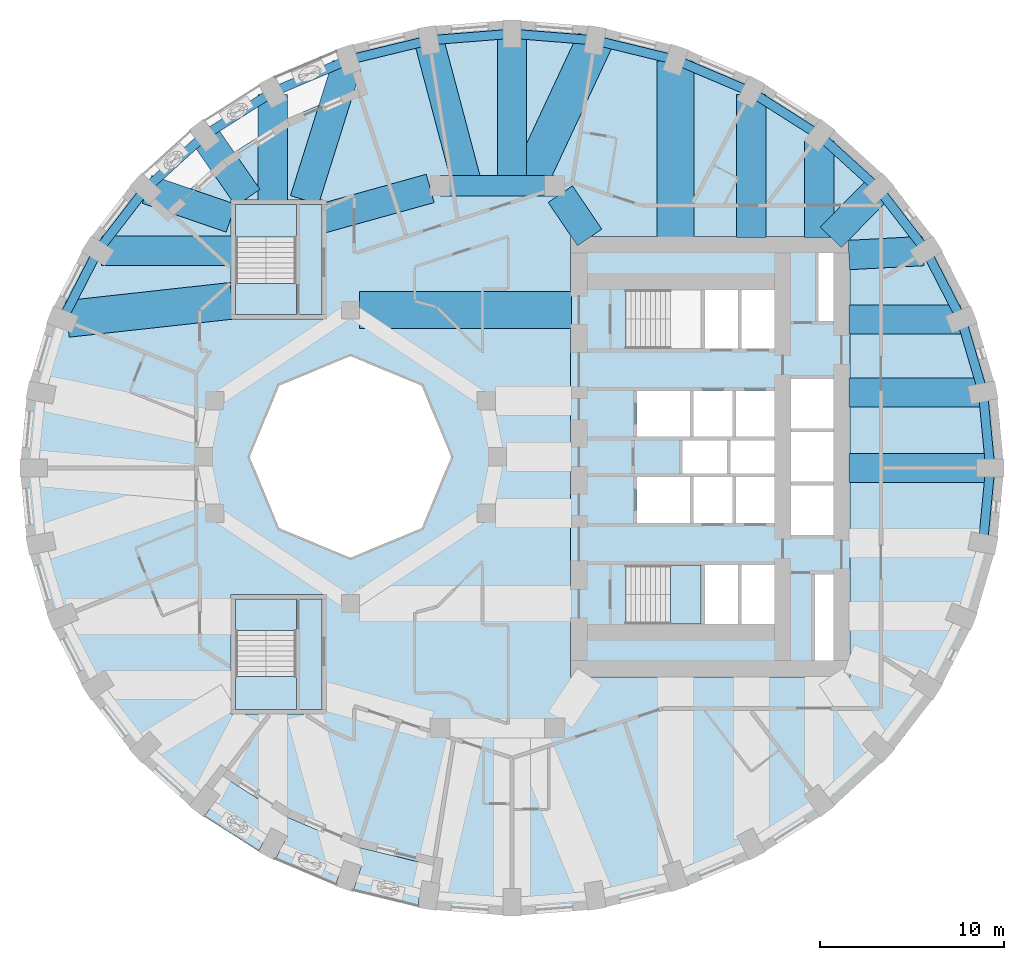
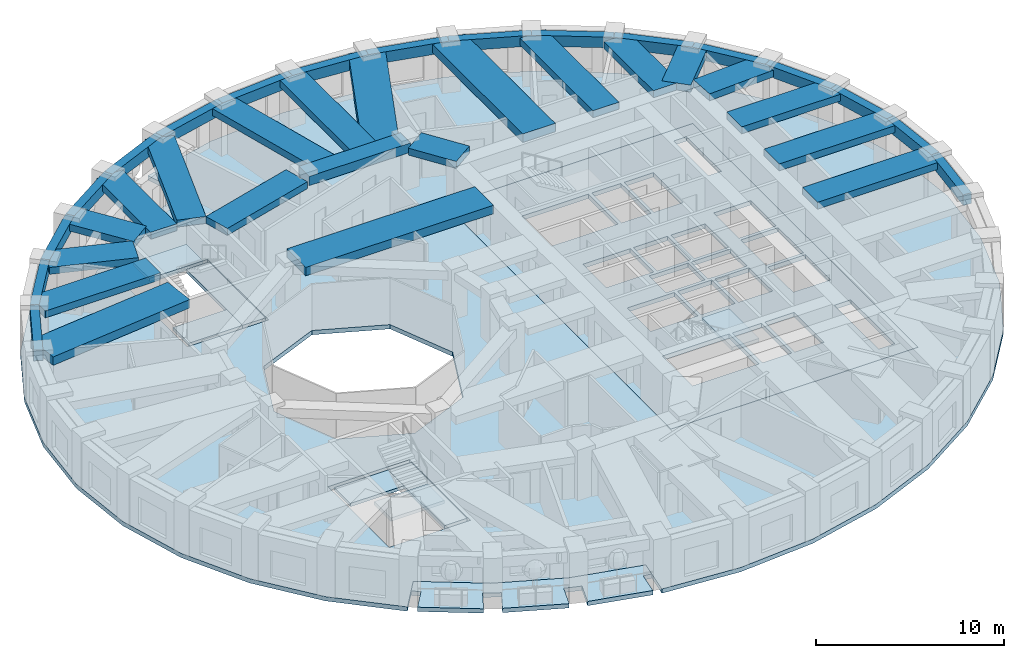
# One storey, part 2 of 12: 38 beams, 10 slabs, 3 elements without a shape of their own.
"""IFC4 building model written with IfcOpenShell, lengths in metres."""

from ifc_helpers import new_model, si_unit, direction, frame, origin, origin_2d, place, context, subcontext, project, spatial, polyline, rectangle, outline, extrude, material, layer, layer_set, material_profile, profile_set, type_object, element, aggregate, save


model = new_model("IFC4")

# Units and contexts
model_context = context("Model", 3, precision=1e-05, world=origin(), true_north=direction((0.0, 1.0)))
body_context = subcontext(model_context, "Body", "Model", "MODEL_VIEW")
ifc_project = project(units=[si_unit("LENGTHUNIT", "METRE"), si_unit("AREAUNIT", "SQUARE_METRE"), si_unit("VOLUMEUNIT", "CUBIC_METRE"), si_unit("PLANEANGLEUNIT", "RADIAN"), si_unit("MASSUNIT", "GRAM", prefix="KILO")], contexts=[model_context])

# Site, building, storey
site_placement = place(None, origin())
site = spatial("IfcSite", under=ifc_project, at=site_placement, CompositionType="ELEMENT")
building_placement = place(site_placement, origin())
building = spatial("IfcBuilding", under=site, at=building_placement, Name="Taillehof Tower", CompositionType="ELEMENT")
storey_placement = place(building_placement, frame((0.0, 0.0, 121.89990234375)))
storey = spatial("IfcBuildingStorey", under=building, at=storey_placement, Name="L34", CompositionType="ELEMENT", Elevation=121.89990234375)

# Beams
ifc_material_1 = material(Name="Concrete C50/60", Category="concrete")
ifc_material_profile_1 = material_profile(ifc_material_1, rectangle(XDim=1.10009765625, YDim=0.60009765625, at=origin_2d()), Name="RC 1100x600")
ifc_profile_set_1 = profile_set([ifc_material_profile_1], Name="Concrete C50/60")
beam_type_1 = type_object("IfcBeamType", Name="Mid-ring beam C50/60 1100x600", PredefinedType="BEAM", material=ifc_profile_set_1)
beam_1_placement = place(storey_placement, frame((3.125732421875, 14.772216796875, 2.72021484375), z_axis=(-1.0, 0.0, 0.0), x_axis=(0.0, -1.0, 0.0)))
element("IfcBeam", 1, at=beam_1_placement, inside=storey, type_object=beam_type_1, Name="Mid-ring beam MB01", PredefinedType="BEAM", context=body_context, shape_type="SweptSolid", body=[
    extrude(rectangle(XDim=1.10009765625, YDim=0.60009765625, at=origin_2d()), origin(), (0.0, 0.0, 1.0), 6.25146484375),
])
ifc_material_2 = material(Name="Concrete C50/60", Category="concrete")
ifc_material_profile_2 = material_profile(ifc_material_2, rectangle(XDim=1.60009765625, YDim=0.449951171875, at=origin_2d()), Name="RC 1600x450")
ifc_profile_set_2 = profile_set([ifc_material_profile_2], Name="Concrete C50/60")
beam_type_2 = type_object("IfcBeamType", Name="Radial band beam C50/60 1600x450", PredefinedType="BEAM", material=ifc_profile_set_2)
beam_2_placement = place(storey_placement, frame((26.85009765625, -0.60009765625, 2.795166015625), z_axis=(-1.0, 0.0, 0.0), x_axis=(0.0, -1.0, 0.0)))
element("IfcBeam", 2, at=beam_2_placement, inside=storey, type_object=beam_type_2, Name="Radial band beam RB01", PredefinedType="BEAM", context=body_context, shape_type="SweptSolid", body=[
    extrude(rectangle(XDim=1.60009765625, YDim=0.449951171875, at=origin_2d()), origin(), (0.0, 0.0, 1.0), 7.7001953125),
])
beam_3_placement = place(storey_placement, frame((26.454345703125, 3.5068359375, 2.795166015625), z_axis=(-1.0, 0.0, 0.0), x_axis=(0.0, -1.0, 0.0)))
element("IfcBeam", 3, at=beam_3_placement, inside=storey, type_object=beam_type_2, Name="Radial band beam RB02", PredefinedType="BEAM", context=body_context, shape_type="SweptSolid", body=[
    extrude(rectangle(XDim=1.60009765625, YDim=0.449951171875, at=origin_2d()), origin(), (0.0, 0.0, 1.0), 7.304443359375),
])
beam_4_placement = place(storey_placement, frame((25.2275390625, 7.48876953125, 2.795166015625), z_axis=(-1.0, 0.0, 0.0), x_axis=(0.0, -1.0, 0.0)))
element("IfcBeam", 4, at=beam_4_placement, inside=storey, type_object=beam_type_2, Name="Radial band beam RB03", PredefinedType="BEAM", context=body_context, shape_type="SweptSolid", body=[
    extrude(rectangle(XDim=1.60009765625, YDim=0.449951171875, at=origin_2d()), origin(), (0.0, 0.0, 1.0), 6.07763671875),
])
beam_5_placement = place(storey_placement, frame((23.197021484375, 11.21630859375, 2.795166015625), z_axis=(-0.998539024739, -0.054035322466, 0.0), x_axis=(0.054035322466, -0.998539024739, 0.0)))
element("IfcBeam", 5, at=beam_5_placement, inside=storey, type_object=beam_type_2, Name="Radial band beam RB04", PredefinedType="BEAM", context=body_context, shape_type="SweptSolid", body=[
    extrude(rectangle(XDim=1.60009765625, YDim=0.449951171875, at=origin_2d()), origin(), (0.0, 0.0, 1.0), 4.052734375),
])
beam_6_placement = place(storey_placement, frame((20.75537109375, 14.60205078125, 2.795166015625), z_axis=(-0.700671998657, -0.713483531903, 0.0), x_axis=(0.713483531903, -0.700671998657, 0.0)))
element("IfcBeam", 6, at=beam_6_placement, inside=storey, type_object=beam_type_2, Name="Radial band beam RB05", PredefinedType="BEAM", context=body_context, shape_type="SweptSolid", body=[
    extrude(rectangle(XDim=1.60009765625, YDim=0.449951171875, at=origin_2d()), origin(), (0.0, 0.0, 1.0), 3.697021484375),
])
beam_7_placement = place(storey_placement, frame((17.544677734375, 17.2216796875, 2.795166015625), z_axis=(0.0, -1.0, 0.0), x_axis=(1.0, 0.0, 0.0)))
element("IfcBeam", 7, at=beam_7_placement, inside=storey, type_object=beam_type_2, Name="Radial band beam RB06", PredefinedType="BEAM", context=body_context, shape_type="SweptSolid", body=[
    extrude(rectangle(XDim=1.60009765625, YDim=0.449951171875, at=origin_2d()), origin(), (0.0, 0.0, 1.0), 5.271728515625),
])
beam_8_placement = place(storey_placement, frame((13.824951171875, 19.744384765625, 2.795166015625), z_axis=(0.0, -1.0, 0.0), x_axis=(1.0, 0.0, 0.0)))
element("IfcBeam", 8, at=beam_8_placement, inside=storey, type_object=beam_type_2, Name="Radial band beam RB07", PredefinedType="BEAM", context=body_context, shape_type="SweptSolid", body=[
    extrude(rectangle(XDim=1.60009765625, YDim=0.449951171875, at=origin_2d()), origin(), (0.0, 0.0, 1.0), 7.79443359375),
])
beam_9_placement = place(storey_placement, frame((0.800048828125, 23.050048828125, 2.795166015625), z_axis=(0.0, -1.0, 0.0), x_axis=(1.0, 0.0, 0.0)))
element("IfcBeam", 9, at=beam_9_placement, inside=storey, type_object=beam_type_2, Name="Radial band beam RB10", PredefinedType="BEAM", context=body_context, shape_type="SweptSolid", body=[
    extrude(rectangle(XDim=1.60009765625, YDim=0.449951171875, at=origin_2d()), origin(), (0.0, 0.0, 1.0), 8.27783203125),
])
beam_10_placement = place(storey_placement, frame((-3.7236328125, 22.690673828125, 2.795166015625), z_axis=(0.256102263642, -0.966649693817, 0.0), x_axis=(0.966649693817, 0.256102263642, 0.0)))
element("IfcBeam", 10, at=beam_10_placement, inside=storey, type_object=beam_type_2, Name="Radial band beam RB11", PredefinedType="BEAM", context=body_context, shape_type="SweptSolid", body=[
    extrude(rectangle(XDim=1.60009765625, YDim=0.449951171875, at=origin_2d()), origin(), (0.0, 0.0, 1.0), 8.191650390625),
])
beam_11_placement = place(storey_placement, frame((-8.189453125, 21.369140625, 2.795166015625), z_axis=(-0.299184997435, -0.954195125386, 0.0), x_axis=(0.954195125386, -0.299184997435, 0.0)))
element("IfcBeam", 11, at=beam_11_placement, inside=storey, type_object=beam_type_2, Name="Radial band beam RB12", PredefinedType="BEAM", context=body_context, shape_type="SweptSolid", body=[
    extrude(rectangle(XDim=1.60009765625, YDim=0.449951171875, at=origin_2d()), origin(), (0.0, 0.0, 1.0), 7.728515625),
])
beam_12_placement = place(storey_placement, frame((-12.22509765625, 19.744384765625, 2.795166015625), z_axis=(0.0, -1.0, 0.0), x_axis=(1.0, 0.0, 0.0)))
element("IfcBeam", 12, at=beam_12_placement, inside=storey, type_object=beam_type_2, Name="Radial band beam RB13", PredefinedType="BEAM", context=body_context, shape_type="SweptSolid", body=[
    extrude(rectangle(XDim=1.60009765625, YDim=0.449951171875, at=origin_2d()), origin(), (0.0, 0.0, 1.0), 5.79443359375),
])
beam_13_placement = place(storey_placement, frame((-15.944580078125, 17.516845703125, 2.795166015625), z_axis=(0.570763290366, -0.821114648737, 0.0), x_axis=(0.821114648737, 0.570763290366, 0.0)))
element("IfcBeam", 13, at=beam_13_placement, inside=storey, type_object=beam_type_2, Name="Radial band beam RB14", PredefinedType="BEAM", context=body_context, shape_type="SweptSolid", body=[
    extrude(rectangle(XDim=1.60009765625, YDim=0.449951171875, at=origin_2d()), origin(), (0.0, 0.0, 1.0), 4.1328125),
])
beam_14_placement = place(storey_placement, frame((-19.080810546875, 14.576171875, 2.795166015625), z_axis=(0.945583195076, -0.325380425334, 0.0), x_axis=(0.325380425334, 0.945583195076, 0.0)))
element("IfcBeam", 14, at=beam_14_placement, inside=storey, type_object=beam_type_2, Name="Radial band beam RB15", PredefinedType="BEAM", context=body_context, shape_type="SweptSolid", body=[
    extrude(rectangle(XDim=1.60009765625, YDim=0.449951171875, at=origin_2d()), origin(), (0.0, 0.0, 1.0), 4.83349609375),
])
beam_15_placement = place(storey_placement, frame((-21.54736328125, 11.22509765625, 2.795166015625), z_axis=(1.0, 0.0, 0.0), x_axis=(0.0, 1.0, 0.0)))
element("IfcBeam", 15, at=beam_15_placement, inside=storey, type_object=beam_type_2, Name="Radial band beam RB16", PredefinedType="BEAM", context=body_context, shape_type="SweptSolid", body=[
    extrude(rectangle(XDim=1.60009765625, YDim=0.449951171875, at=origin_2d()), origin(), (0.0, 0.0, 1.0), 7.097412109375),
])
beam_16_placement = place(storey_placement, frame((3.433837890625, 14.31640625, 2.795166015625), z_axis=(0.560112043398, -0.828416862962, 0.0), x_axis=(0.828416862962, 0.560112043398, 0.0)))
element("IfcBeam", 16, at=beam_16_placement, inside=storey, type_object=beam_type_2, Name="Inner band beam IB205", PredefinedType="BEAM", context=body_context, shape_type="SweptSolid", body=[
    extrude(rectangle(XDim=1.60009765625, YDim=0.449951171875, at=origin_2d()), origin(), (0.0, 0.0, 1.0), 2.84619140625),
])
beam_17_placement = place(storey_placement, frame((-3.655517578125, 14.624755859375, 2.795166015625), z_axis=(-0.963459369536, -0.267854518821, 0.0), x_axis=(0.267854518821, -0.963459369536, 0.0)))
element("IfcBeam", 17, at=beam_17_placement, inside=storey, type_object=beam_type_2, Name="Inner band beam IB206", PredefinedType="BEAM", context=body_context, shape_type="SweptSolid", body=[
    extrude(rectangle(XDim=1.60009765625, YDim=0.449951171875, at=origin_2d()), origin(), (0.0, 0.0, 1.0), 6.096923828125),
])
ifc_material_3 = material(Name="Concrete C50/60", Category="concrete")
ifc_material_profile_3 = material_profile(ifc_material_3, rectangle(XDim=2.0, YDim=0.550048828125, at=origin_2d()), Name="RC 2000x550")
ifc_profile_set_3 = profile_set([ifc_material_profile_3], Name="Concrete C50/60")
beam_type_3 = type_object("IfcBeamType", Name="Radial band beam C50/60 2000x550", PredefinedType="BEAM", material=ifc_profile_set_3)
beam_18_placement = place(storey_placement, frame((9.709716796875, 21.556640625, 2.7451171875), z_axis=(0.0, -1.0, 0.0), x_axis=(1.0, 0.0, 0.0)))
element("IfcBeam", 18, at=beam_18_placement, inside=storey, type_object=beam_type_3, Name="Radial band beam RB08", PredefinedType="BEAM", context=body_context, shape_type="SweptSolid", body=[
    extrude(rectangle(XDim=2.0, YDim=0.550048828125, at=origin_2d()), origin(), (0.0, 0.0, 1.0), 9.606689453125),
])
beam_19_placement = place(storey_placement, frame((5.312744140625, 22.66748046875, 2.7451171875), z_axis=(-0.423126261145, -0.90607072965, 0.0), x_axis=(0.90607072965, -0.423126261145, 0.0)))
element("IfcBeam", 19, at=beam_19_placement, inside=storey, type_object=beam_type_3, Name="Radial band beam RB09", PredefinedType="BEAM", context=body_context, shape_type="SweptSolid", body=[
    extrude(rectangle(XDim=2.0, YDim=0.550048828125, at=origin_2d()), origin(), (0.0, 0.0, 1.0), 8.713623046875),
])
beam_20_placement = place(storey_placement, frame((-23.42919921875, 7.516357421875, 2.7451171875), z_axis=(0.993988424713, 0.109485211499, 0.0), x_axis=(-0.109485211499, 0.993988424713, 0.0)))
element("IfcBeam", 20, at=beam_20_placement, inside=storey, type_object=beam_type_3, Name="Radial band beam RB17", PredefinedType="BEAM", context=body_context, shape_type="SweptSolid", body=[
    extrude(rectangle(XDim=2.0, YDim=0.550048828125, at=origin_2d()), origin(), (0.0, 0.0, 1.0), 9.033203125),
])
beam_21_placement = place(storey_placement, frame((-7.5, 8.0, 2.7451171875), z_axis=(1.0, 0.0, 0.0), x_axis=(0.0, 1.0, 0.0)))
element("IfcBeam", 21, at=beam_21_placement, inside=storey, type_object=beam_type_3, Name="Inner band beam IB105", PredefinedType="BEAM", context=body_context, shape_type="SweptSolid", body=[
    extrude(rectangle(XDim=2.0, YDim=0.550048828125, at=origin_2d()), origin(), (0.0, 0.0, 1.0), 11.550048828125),
])
ifc_material_4 = material(Name="Concrete C50/60", Category="concrete")
ifc_material_profile_4 = material_profile(ifc_material_4, rectangle(XDim=0.5, YDim=0.699951171875, at=origin_2d()), Name="RC 500x700")
ifc_profile_set_4 = profile_set([ifc_material_profile_4], Name="Concrete C50/60")
beam_type_4 = type_object("IfcBeamType", Name="Spandrel beam C50/60 500x700", PredefinedType="SPANDREL", material=ifc_profile_set_4)
beam_22_placement = place(storey_placement, frame((26.85009765625, -0.60009765625, 2.670166015625), z_axis=(-0.095917608943, 0.995389276763, 0.0), x_axis=(-0.995389276763, -0.095917608943, 0.0)))
element("IfcBeam", 22, at=beam_22_placement, inside=storey, type_object=beam_type_4, Name="Spandrel beam SB01", PredefinedType="SPANDREL", context=body_context, shape_type="SweptSolid", body=[
    extrude(rectangle(XDim=0.5, YDim=0.699951171875, at=origin_2d()), origin(), (0.0, 0.0, 1.0), 4.1259765625),
])
beam_23_placement = place(storey_placement, frame((26.454345703125, 3.5068359375, 2.670166015625), z_axis=(-0.28308309012, 0.95909538842, 0.0), x_axis=(-0.95909538842, -0.28308309012, 0.0)))
element("IfcBeam", 23, at=beam_23_placement, inside=storey, type_object=beam_type_4, Name="Spandrel beam SB02", PredefinedType="SPANDREL", context=body_context, shape_type="SweptSolid", body=[
    extrude(rectangle(XDim=0.5, YDim=0.699951171875, at=origin_2d()), origin(), (0.0, 0.0, 1.0), 4.15185546875),
])
beam_24_placement = place(storey_placement, frame((25.279052734375, 7.48876953125, 2.670166015625), z_axis=(-0.456905372708, 0.88951530644, 0.0), x_axis=(-0.88951530644, -0.456905372708, 0.0)))
element("IfcBeam", 24, at=beam_24_placement, inside=storey, type_object=beam_type_4, Name="Spandrel beam SB03", PredefinedType="SPANDREL", context=body_context, shape_type="SweptSolid", body=[
    extrude(rectangle(XDim=0.5, YDim=0.699951171875, at=origin_2d()), origin(), (0.0, 0.0, 1.0), 4.200439453125),
])
beam_25_placement = place(storey_placement, frame((23.35986328125, 11.22509765625, 2.670166015625), z_axis=(-0.61071731561, 0.79184869793, 0.0), x_axis=(-0.79184869793, -0.61071731561, 0.0)))
element("IfcBeam", 25, at=beam_25_placement, inside=storey, type_object=beam_type_4, Name="Spandrel beam SB04", PredefinedType="SPANDREL", context=body_context, shape_type="SweptSolid", body=[
    extrude(rectangle(XDim=0.5, YDim=0.699951171875, at=origin_2d()), origin(), (0.0, 0.0, 1.0), 4.2646484375),
])
beam_26_placement = place(storey_placement, frame((20.75537109375, 14.60205078125, 2.670166015625), z_axis=(-0.740400998917, 0.672165426665, 0.0), x_axis=(-0.672165426665, -0.740400998917, 0.0)))
element("IfcBeam", 26, at=beam_26_placement, inside=storey, type_object=beam_type_4, Name="Spandrel beam SB05", PredefinedType="SPANDREL", context=body_context, shape_type="SweptSolid", body=[
    extrude(rectangle(XDim=0.5, YDim=0.699951171875, at=origin_2d()), origin(), (0.0, 0.0, 1.0), 4.33642578125),
])
beam_27_placement = place(storey_placement, frame((17.544677734375, 17.516845703125, 2.670166015625), z_axis=(-0.843903157847, 0.536495536027, 0.0), x_axis=(-0.536495536027, -0.843903157847, 0.0)))
element("IfcBeam", 27, at=beam_27_placement, inside=storey, type_object=beam_type_4, Name="Spandrel beam SB06", PredefinedType="SPANDREL", context=body_context, shape_type="SweptSolid", body=[
    extrude(rectangle(XDim=0.5, YDim=0.699951171875, at=origin_2d()), origin(), (0.0, 0.0, 1.0), 4.40771484375),
])
beam_28_placement = place(storey_placement, frame((13.824951171875, 19.881591796875, 2.670166015625), z_axis=(-0.920876744153, 0.389853847074, 0.0), x_axis=(-0.389853847074, -0.920876744153, 0.0)))
element("IfcBeam", 28, at=beam_28_placement, inside=storey, type_object=beam_type_4, Name="Spandrel beam SB07", PredefinedType="SPANDREL", context=body_context, shape_type="SweptSolid", body=[
    extrude(rectangle(XDim=0.5, YDim=0.699951171875, at=origin_2d()), origin(), (0.0, 0.0, 1.0), 4.46875),
])
beam_29_placement = place(storey_placement, frame((9.709716796875, 21.623779296875, 2.670166015625), z_axis=(-0.971668945916, 0.23634605887, 0.0), x_axis=(-0.23634605887, -0.971668945916, 0.0)))
element("IfcBeam", 29, at=beam_29_placement, inside=storey, type_object=beam_type_4, Name="Spandrel beam SB08", PredefinedType="SPANDREL", context=body_context, shape_type="SweptSolid", body=[
    extrude(rectangle(XDim=0.5, YDim=0.699951171875, at=origin_2d()), origin(), (0.0, 0.0, 1.0), 4.51416015625),
])
beam_30_placement = place(storey_placement, frame((5.323486328125, 22.690673828125, 2.670166015625), z_axis=(-0.996858923208, 0.079197772828, 0.0), x_axis=(-0.079197772828, -0.996858923208, 0.0)))
element("IfcBeam", 30, at=beam_30_placement, inside=storey, type_object=beam_type_4, Name="Spandrel beam SB09", PredefinedType="SPANDREL", context=body_context, shape_type="SweptSolid", body=[
    extrude(rectangle(XDim=0.5, YDim=0.699951171875, at=origin_2d()), origin(), (0.0, 0.0, 1.0), 4.53759765625),
])
beam_31_placement = place(storey_placement, frame((0.800048828125, 23.050048828125, 2.670166015625), z_axis=(-0.996859260648, -0.079193525375, 0.0), x_axis=(0.079193525375, -0.996859260648, 0.0)))
element("IfcBeam", 31, at=beam_31_placement, inside=storey, type_object=beam_type_4, Name="Spandrel beam SB10", PredefinedType="SPANDREL", context=body_context, shape_type="SweptSolid", body=[
    extrude(rectangle(XDim=0.5, YDim=0.699951171875, at=origin_2d()), origin(), (0.0, 0.0, 1.0), 4.537841796875),
])
beam_32_placement = place(storey_placement, frame((-3.7236328125, 22.690673828125, 2.670166015625), z_axis=(-0.971665924588, -0.236358479847, 0.0), x_axis=(0.236358479847, -0.971665924588, 0.0)))
element("IfcBeam", 32, at=beam_32_placement, inside=storey, type_object=beam_type_4, Name="Spandrel beam SB11", PredefinedType="SPANDREL", context=body_context, shape_type="SweptSolid", body=[
    extrude(rectangle(XDim=0.5, YDim=0.699951171875, at=origin_2d()), origin(), (0.0, 0.0, 1.0), 4.513916015625),
])
beam_33_placement = place(storey_placement, frame((-8.109619140625, 21.623779296875, 2.670166015625), z_axis=(-0.920885046825, -0.389834234688, 0.0), x_axis=(0.389834234688, -0.920885046825, 0.0)))
element("IfcBeam", 33, at=beam_33_placement, inside=storey, type_object=beam_type_4, Name="Spandrel beam SB12", PredefinedType="SPANDREL", context=body_context, shape_type="SweptSolid", body=[
    extrude(rectangle(XDim=0.5, YDim=0.699951171875, at=origin_2d()), origin(), (0.0, 0.0, 1.0), 4.468994140625),
])
beam_34_placement = place(storey_placement, frame((-12.22509765625, 19.881591796875, 2.670166015625), z_axis=(-0.843887214322, -0.536520614239, 0.0), x_axis=(0.536520614239, -0.843887214322, 0.0)))
element("IfcBeam", 34, at=beam_34_placement, inside=storey, type_object=beam_type_4, Name="Spandrel beam SB13", PredefinedType="SPANDREL", context=body_context, shape_type="SweptSolid", body=[
    extrude(rectangle(XDim=0.5, YDim=0.699951171875, at=origin_2d()), origin(), (0.0, 0.0, 1.0), 4.407470703125),
])
beam_35_placement = place(storey_placement, frame((-15.944580078125, 17.516845703125, 2.670166015625), z_axis=(-0.740426434014, -0.672137408432, 0.0), x_axis=(0.672137408432, -0.740426434014, 0.0)))
element("IfcBeam", 35, at=beam_35_placement, inside=storey, type_object=beam_type_4, Name="Spandrel beam SB14", PredefinedType="SPANDREL", context=body_context, shape_type="SweptSolid", body=[
    extrude(rectangle(XDim=0.5, YDim=0.699951171875, at=origin_2d()), origin(), (0.0, 0.0, 1.0), 4.336669921875),
])
beam_36_placement = place(storey_placement, frame((-19.155517578125, 14.60205078125, 2.670166015625), z_axis=(-0.61071731561, -0.79184869793, 0.0), x_axis=(0.79184869793, -0.61071731561, 0.0)))
element("IfcBeam", 36, at=beam_36_placement, inside=storey, type_object=beam_type_4, Name="Spandrel beam SB15", PredefinedType="SPANDREL", context=body_context, shape_type="SweptSolid", body=[
    extrude(rectangle(XDim=0.5, YDim=0.699951171875, at=origin_2d()), origin(), (0.0, 0.0, 1.0), 4.2646484375),
])
beam_37_placement = place(storey_placement, frame((-21.760009765625, 11.22509765625, 2.670166015625), z_axis=(-0.456859381733, -0.889538928503, 0.0), x_axis=(0.889538928503, -0.456859381733, 0.0)))
element("IfcBeam", 37, at=beam_37_placement, inside=storey, type_object=beam_type_4, Name="Spandrel beam SB16", PredefinedType="SPANDREL", context=body_context, shape_type="SweptSolid", body=[
    extrude(rectangle(XDim=0.5, YDim=0.699951171875, at=origin_2d()), origin(), (0.0, 0.0, 1.0), 4.2001953125),
])
beam_38_placement = place(storey_placement, frame((26.454345703125, -4.706787109375, 2.670166015625), z_axis=(0.09592325873, 0.995388732323, 0.0), x_axis=(-0.995388732323, 0.09592325873, 0.0)))
element("IfcBeam", 38, at=beam_38_placement, inside=storey, type_object=beam_type_4, Name="Spandrel beam SB36", PredefinedType="SPANDREL", context=body_context, shape_type="SweptSolid", body=[
    extrude(rectangle(XDim=0.5, YDim=0.699951171875, at=origin_2d()), origin(), (0.0, 0.0, 1.0), 4.125732421875),
])

# Slabs
ifc_material_5 = material(Name="Concrete C40/50", Category="concrete")
ifc_layer_1 = layer(ifc_material_5, 0.280029296875)
ifc_layer_set_1 = layer_set([ifc_layer_1], Name="Balcony slab 280")
slab_type_1 = type_object("IfcSlabType", Name="Balcony slab 280", PredefinedType="USERDEFINED", material=ifc_layer_set_1)
slab_1_placement = place(storey_placement, frame((0.0, 0.0, -0.27978515625)))
element("IfcSlab", 39, at=slab_1_placement, inside=storey, type_object=slab_type_1, Name="Balcony L34 pocket 7", ObjectType="BALCONY", PredefinedType="USERDEFINED", context=body_context, shape_type="SweptSolid", body=[
    extrude(outline(polyline([(-3.473388671875, -22.259765625), (-3.615966796875, -23.1484375), (-4.098388671875, -23.071044921875), (-4.329833984375, -24.51318359375), (-7.857666015625, -23.652587890625), (-7.399169921875, -22.26904296875), (-8.348388671875, -21.95458984375), (-8.807861328125, -23.341064453125), (-12.11083984375, -21.938720703125), (-11.433349609375, -20.650390625), (-12.318603515625, -20.18505859375), (-12.998046875, -21.477294921875), (-15.974609375, -19.579833984375), (-15.092041015625, -18.424560546875), (-15.5166015625, -18.10009765625), (-14.9697265625, -17.38427734375), (-11.4833984375, -19.606689453125), (-7.611328125, -21.250244140625), (-3.473388671875, -22.259765625)])), origin(), (0.0, 0.0, 1.0), 0.27978515625),
])
ifc_material_6 = material(Name="Concrete C40/50", Category="concrete")
ifc_layer_2 = layer(ifc_material_6, 0.280029296875)
ifc_layer_set_2 = layer_set([ifc_layer_2], Name="Core floor slab C40/50 280")
slab_type_2 = type_object("IfcSlabType", Name="Core floor slab C40/50 280", PredefinedType="FLOOR", material=ifc_layer_set_2)
slab_2_placement = place(storey_placement, frame((0.0, 0.0, -0.27978515625)))
element("IfcSlab", 40, at=slab_2_placement, inside=storey, type_object=slab_type_2, Name="Core floor L34", PredefinedType="FLOOR", context=body_context, shape_type="SweptSolid", body=[
    extrude(outline(polyline([(4.0, -12.0), (4.0, 12.0), (19.199951171875, 12.0), (19.199951171875, -12.0), (4.0, -12.0)]), holes=[polyline([(7.00048828125, -9.10009765625), (11.10009765625, -9.10009765625), (11.10009765625, -5.89990234375), (7.00048828125, -5.89990234375), (7.00048828125, -9.10009765625)]), polyline([(13.10009765625, -9.10009765625), (13.10009765625, -5.89990234375), (11.300048828125, -5.89990234375), (11.300048828125, -9.10009765625), (13.10009765625, -9.10009765625)]), polyline([(10.5, -3.60009765625), (10.5, -1.10009765625), (7.60009765625, -1.10009765625), (7.60009765625, -3.60009765625), (10.5, -3.60009765625)]), polyline([(12.800048828125, -3.60009765625), (12.800048828125, -1.10009765625), (10.699951171875, -1.10009765625), (10.699951171875, -3.60009765625), (12.800048828125, -3.60009765625)]), polyline([(12.5, -0.89990234375), (12.5, 0.89990234375), (10.10009765625, 0.89990234375), (10.10009765625, -0.89990234375), (12.5, -0.89990234375)]), polyline([(15.10009765625, -0.89990234375), (15.10009765625, 0.89990234375), (12.699951171875, 0.89990234375), (12.699951171875, -0.89990234375), (15.10009765625, -0.89990234375)]), polyline([(10.5, 1.10009765625), (10.5, 3.60009765625), (7.60009765625, 3.60009765625), (7.60009765625, 1.10009765625), (10.5, 1.10009765625)]), polyline([(10.699951171875, 1.10009765625), (12.800048828125, 1.10009765625), (12.800048828125, 3.60009765625), (10.699951171875, 3.60009765625), (10.699951171875, 1.10009765625)]), polyline([(11.300048828125, 5.89990234375), (13.10009765625, 5.89990234375), (13.10009765625, 9.10009765625), (11.300048828125, 9.10009765625), (11.300048828125, 5.89990234375)]), polyline([(11.10009765625, 5.89990234375), (11.10009765625, 9.10009765625), (7.00048828125, 9.10009765625), (7.00048828125, 5.89990234375), (11.10009765625, 5.89990234375)]), polyline([(18.300048828125, -11.10009765625), (18.300048828125, -6.39990234375), (17.300048828125, -6.39990234375), (17.300048828125, -11.10009765625), (18.300048828125, -11.10009765625)]), polyline([(15.10009765625, -9.10009765625), (15.10009765625, -5.89990234375), (13.300048828125, -5.89990234375), (13.300048828125, -9.10009765625), (15.10009765625, -9.10009765625)]), polyline([(16.0, -4.25), (18.300048828125, -4.25), (18.300048828125, -1.550048828125), (16.0, -1.550048828125), (16.0, -4.25)]), polyline([(13.0, -3.60009765625), (15.10009765625, -3.60009765625), (15.10009765625, -1.10009765625), (13.0, -1.10009765625), (13.0, -3.60009765625)]), polyline([(18.300048828125, -1.35009765625), (18.300048828125, 1.35009765625), (16.0, 1.35009765625), (16.0, -1.35009765625), (18.300048828125, -1.35009765625)]), polyline([(15.10009765625, 1.10009765625), (15.10009765625, 3.60009765625), (13.0, 3.60009765625), (13.0, 1.10009765625), (15.10009765625, 1.10009765625)]), polyline([(18.300048828125, 1.550048828125), (18.300048828125, 4.25), (16.0, 4.25), (16.0, 1.550048828125), (18.300048828125, 1.550048828125)]), polyline([(13.300048828125, 5.89990234375), (15.10009765625, 5.89990234375), (15.10009765625, 9.10009765625), (13.300048828125, 9.10009765625), (13.300048828125, 5.89990234375)]), polyline([(17.5, 7.39990234375), (18.300048828125, 7.39990234375), (18.300048828125, 11.10009765625), (17.5, 11.10009765625), (17.5, 7.39990234375)])]), origin(), (0.0, 0.0, 1.0), 0.27978515625),
])
ifc_material_7 = material(Name="Concrete C40/50", Category="concrete")
ifc_layer_3 = layer(ifc_material_7, 0.280029296875)
ifc_layer_set_3 = layer_set([ifc_layer_3], Name="Floor slab 280")
slab_type_3 = type_object("IfcSlabType", Name="Floor slab 280", PredefinedType="FLOOR", material=ifc_layer_set_3)
slab_3_placement = place(storey_placement, frame((0.0, 0.0, -0.27978515625)))
element("IfcSlab", 41, at=slab_3_placement, inside=storey, type_object=slab_type_3, Name="Floor slab L34", PredefinedType="FLOOR", context=body_context, shape_type="SweptSolid", body=[
    extrude(outline(polyline([(27.60009765625, -0.60009765625), (27.19287109375, 3.636962890625), (25.98388671875, 7.745361328125), (24.009521484375, 11.60009765625), (21.330078125, 15.083984375), (18.026611328125, 18.091552734375), (14.199951171875, 20.531005859375), (9.966064453125, 22.32861328125), (5.453857421875, 23.42919921875), (0.800048828125, 23.800048828125), (-3.853759765625, 23.42919921875), (-8.3662109375, 22.32861328125), (-7.611083984375, 20.05029296875), (-11.4833984375, 18.406494140625), (-14.9697265625, 16.184326171875), (-17.965087890625, 13.45751953125), (-19.72998046875, 15.083984375), (-22.409423828125, 11.60009765625), (-24.3837890625, 7.745361328125), (-25.5927734375, 3.636962890625), (-26.0, -0.60009765625), (-25.5927734375, -4.8369140625), (-24.3837890625, -8.9453125), (-22.409423828125, -12.800048828125), (-19.72998046875, -16.283935546875), (-16.4267578125, -19.29150390625), (-14.9697265625, -17.38427734375), (-11.4833984375, -19.606689453125), (-7.611083984375, -21.250244140625), (-3.473388671875, -22.259765625), (-3.853759765625, -24.62939453125), (0.800048828125, -25.0), (5.453857421875, -24.62939453125), (9.966064453125, -23.528564453125), (14.199951171875, -21.73095703125), (18.026611328125, -19.29150390625), (21.330078125, -16.283935546875), (24.009521484375, -12.800048828125), (25.98388671875, -8.9453125), (27.19287109375, -4.8369140625), (27.60009765625, -0.60009765625)]), holes=[polyline([(-14.5, -7.5), (-9.5, -7.5), (-9.5, -14.0), (-14.5, -14.0), (-14.5, -7.5)]), polyline([(-8.0, -5.5), (-11.88916015625, -3.88916015625), (-13.5, 0.0), (-11.88916015625, 3.88916015625), (-8.0, 5.5), (-4.11083984375, 3.88916015625), (-2.5, 0.0), (-4.11083984375, -3.88916015625), (-8.0, -5.5)]), polyline([(19.199951171875, 12.0), (19.199951171875, -12.0), (4.0, -12.0), (4.0, 12.0), (19.199951171875, 12.0)]), polyline([(-14.5, 14.0), (-9.5, 14.0), (-9.5, 7.5), (-14.5, 7.5), (-14.5, 14.0)])]), origin(), (0.0, 0.0, 1.0), 0.27978515625),
])

# Stair, slab
ifc_material_8 = material(Name="Concrete C40/50", Category="concrete")
stair_type = type_object("IfcStairType", Name="Exit stair half-turn", PredefinedType="HALF_TURN_STAIR", material=ifc_material_8)
stair_1_placement = place(storey_placement, origin())
stair_1 = element("IfcStair", 42, at=stair_1_placement, inside=storey, type_object=stair_type, Name="Exit stair S2", PredefinedType="HALF_TURN_STAIR")
ifc_material_9 = material(Name="Concrete C40/50", Category="concrete")
ifc_layer_4 = layer(ifc_material_9, 0.2099609375)
ifc_layer_set_4 = layer_set([ifc_layer_4], Name="Stair landing C40/50 210")
slab_type_4 = type_object("IfcSlabType", Name="Stair landing C40/50 210", PredefinedType="LANDING", material=ifc_layer_set_4)
slab_4_placement = place(storey_placement, frame((0.0, 0.0, 1.440185546875)))
slab_4 = element("IfcSlab", 43, at=slab_4_placement, type_object=slab_type_4, Name="S2 landing 1", PredefinedType="LANDING", context=body_context, shape_type="SweptSolid", body=[
    extrude(outline(polyline([(9.429931640625, -5.89990234375), (11.10009765625, -5.89990234375), (11.10009765625, -9.10009765625), (9.429931640625, -9.10009765625), (9.429931640625, -5.89990234375)])), origin(), (0.0, 0.0, 1.0), 0.2099609375),
])
aggregate(stair_1, [slab_4])

stair_2_placement = place(storey_placement, origin())
stair_2 = element("IfcStair", 44, at=stair_2_placement, inside=storey, type_object=stair_type, Name="Exit stair S3", PredefinedType="HALF_TURN_STAIR")
slab_5_placement = place(storey_placement, frame((0.0, 0.0, 1.440185546875)))
slab_5 = element("IfcSlab", 45, at=slab_5_placement, type_object=slab_type_4, Name="S3 landing 1", PredefinedType="LANDING", context=body_context, shape_type="SweptSolid", body=[
    extrude(outline(polyline([(-14.25, 11.969970703125), (-14.25, 13.75), (-10.949951171875, 13.75), (-10.949951171875, 11.969970703125), (-14.25, 11.969970703125)])), origin(), (0.0, 0.0, 1.0), 0.2099609375),
])
aggregate(stair_2, [slab_5])

stair_3_placement = place(storey_placement, origin())
stair_3 = element("IfcStair", 46, at=stair_3_placement, inside=storey, type_object=stair_type, Name="Exit stair S4", PredefinedType="HALF_TURN_STAIR")
slab_6_placement = place(storey_placement, frame((0.0, 0.0, 1.440185546875)))
slab_6 = element("IfcSlab", 47, at=slab_6_placement, type_object=slab_type_4, Name="S4 landing 1", PredefinedType="LANDING", context=body_context, shape_type="SweptSolid", body=[
    extrude(outline(polyline([(-14.25, -11.969970703125), (-14.25, -13.75), (-10.949951171875, -13.75), (-10.949951171875, -11.969970703125), (-14.25, -11.969970703125)])), origin(), (0.0, 0.0, 1.0), 0.2099609375),
])
aggregate(stair_3, [slab_6])

# Slabs
slab_7_placement = place(storey_placement, frame((0.0, 0.0, -0.2099609375)))
element("IfcSlab", 48, at=slab_7_placement, inside=storey, type_object=slab_type_4, Name="Stair S3 floor landing", PredefinedType="LANDING", context=body_context, shape_type="SweptSolid", body=[
    extrude(outline(polyline([(-14.25, 7.75), (-14.25, 9.449951171875), (-10.949951171875, 9.449951171875), (-10.949951171875, 7.75), (-14.25, 7.75)])), origin(), (0.0, 0.0, 1.0), 0.2099609375),
])
slab_8_placement = place(storey_placement, frame((0.0, 0.0, -0.2099609375)))
element("IfcSlab", 49, at=slab_8_placement, inside=storey, type_object=slab_type_4, Name="Stair lobby S3 floor", PredefinedType="LANDING", context=body_context, shape_type="SweptSolid", body=[
    extrude(outline(polyline([(-10.949951171875, 7.75), (-9.550048828125, 7.75), (-9.550048828125, 13.75), (-10.949951171875, 13.75), (-10.949951171875, 7.75)])), origin(), (0.0, 0.0, 1.0), 0.2099609375),
])
slab_9_placement = place(storey_placement, frame((0.0, 0.0, -0.2099609375)))
element("IfcSlab", 50, at=slab_9_placement, inside=storey, type_object=slab_type_4, Name="Stair S4 floor landing", PredefinedType="LANDING", context=body_context, shape_type="SweptSolid", body=[
    extrude(outline(polyline([(-14.25, -7.75), (-14.25, -9.449951171875), (-10.949951171875, -9.449951171875), (-10.949951171875, -7.75), (-14.25, -7.75)])), origin(), (0.0, 0.0, 1.0), 0.2099609375),
])
slab_10_placement = place(storey_placement, frame((0.0, 0.0, -0.2099609375)))
element("IfcSlab", 51, at=slab_10_placement, inside=storey, type_object=slab_type_4, Name="Stair lobby S4 floor", PredefinedType="LANDING", context=body_context, shape_type="SweptSolid", body=[
    extrude(outline(polyline([(-10.949951171875, -13.75), (-9.550048828125, -13.75), (-9.550048828125, -7.75), (-10.949951171875, -7.75), (-10.949951171875, -13.75)])), origin(), (0.0, 0.0, 1.0), 0.2099609375),
])

save(model, "model.ifc")
